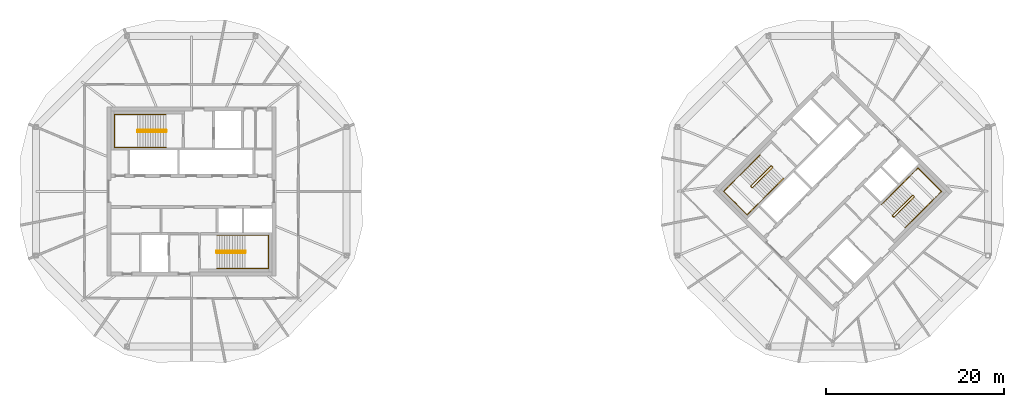
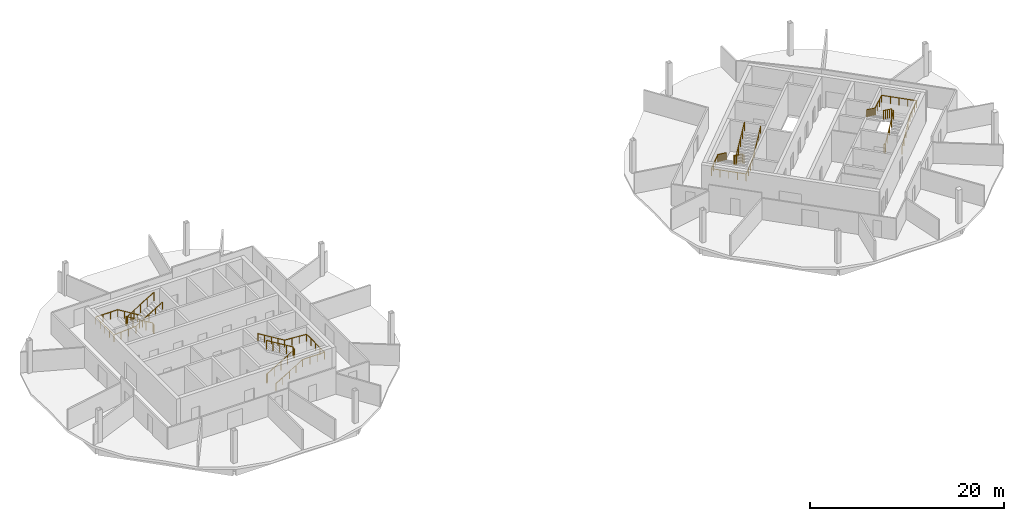
# One storey, part 10 of 10: 8 railings.
"""IFC4 building model written with IfcOpenShell, lengths in metres."""

import ifcopenshell
import ifcopenshell.guid

model = None  # the IFC model being written
_history = None  # IfcOwnerHistory: only IFC2X3 demands one
_inside = {}  # id of a spatial element -> (the spatial element, [elements in it])
_under = {}  # id of a project, library or spatial element -> (it, [spatial elements below it])
_declared = {}  # id of a project -> (the project, [libraries it declares])
_typed = {}  # id of a type object -> (the type object, [elements of that type])
_made_of = {}  # id of a material, layer set ... -> (it, [elements and type objects made of it])


def new_model(schema):
    """Start an empty IFC model of exactly this schema.

    Asked for "IFC4X3", IfcOpenShell would pick the latest addendum, in which some entities
    have other attributes; the version numbers below select the first issue.
    IFC2X3 requires an IfcOwnerHistory on every rooted entity: one is made here for all.
    """
    global model, _history
    if schema == "IFC4X3":
        model = ifcopenshell.file(schema_version=(4, 3, 0, 0))
    else:
        model = ifcopenshell.file(schema=schema)
    _inside.clear()
    _under.clear()
    _declared.clear()
    _typed.clear()
    _made_of.clear()
    _history = None
    if model.schema == "IFC2X3":
        org = make("IfcOrganization", Name="unknown")
        user = make(
            "IfcPersonAndOrganization",
            ThePerson=make("IfcPerson", FamilyName="unknown"),
            TheOrganization=org,
        )
        app = make(
            "IfcApplication",
            ApplicationDeveloper=org,
            Version="unknown",
            ApplicationFullName="unknown",
            ApplicationIdentifier="unknown",
        )
        _history = make(
            "IfcOwnerHistory",
            OwningUser=user,
            OwningApplication=app,
            ChangeAction="ADDED",
            CreationDate=0,
        )
    return model


def make(cls, **values):
    """One entity of the class cls with the attributes given. An attribute that is None is left unset."""
    return model.create_entity(
        cls, **{name: value for name, value in values.items() if value is not None}
    )


def rooted(cls, **values):
    """An entity with a GlobalId (a new one), such as an element, a storey or a relation."""
    return make(cls, GlobalId=ifcopenshell.guid.new(), OwnerHistory=_history, **values)


def si_unit(unit_type, name, prefix=None):
    """IfcSIUnit, for example si_unit("LENGTHUNIT", "METRE", prefix="MILLI")."""
    return make("IfcSIUnit", UnitType=unit_type, Prefix=prefix, Name=name)


def assignment(units):
    """IfcUnitAssignment: the units of a project."""
    return None if units is None else make("IfcUnitAssignment", Units=units)


def point(xyz):
    """IfcCartesianPoint."""
    return None if xyz is None else make("IfcCartesianPoint", Coordinates=xyz)


def direction(xyz):
    """IfcDirection."""
    return None if xyz is None else make("IfcDirection", DirectionRatios=xyz)


def frame(location, z_axis=None, x_axis=None):
    """IfcAxis2Placement3D, a coordinate frame: its origin and axes. An axis left out is left unset."""
    return make(
        "IfcAxis2Placement3D",
        Location=point(location),
        Axis=direction(z_axis),
        RefDirection=direction(x_axis),
    )


def frame_2d(location, x_axis=None):
    """IfcAxis2Placement2D, a coordinate frame in the plane: its origin and x axis."""
    return make(
        "IfcAxis2Placement2D", Location=point(location), RefDirection=direction(x_axis)
    )


def origin():
    """The frame at (0, 0, 0) with its axes left unset."""
    return frame((0.0, 0.0, 0.0))


def origin_2d():
    """The frame at (0, 0) in the plane with its x axis left unset."""
    return frame_2d((0.0, 0.0))


def place(relative_to, where):
    """IfcLocalPlacement: puts the frame where relative to a parent placement (None: the world)."""
    return make(
        "IfcLocalPlacement", PlacementRelTo=relative_to, RelativePlacement=where
    )


def context(
    kind, dimensions, precision=None, world=None, true_north=None, identifier=None
):
    """IfcGeometricRepresentationContext, for example the 3D "Model" context."""
    return make(
        "IfcGeometricRepresentationContext",
        ContextIdentifier=identifier,
        ContextType=kind,
        CoordinateSpaceDimension=dimensions,
        Precision=precision,
        WorldCoordinateSystem=world,
        TrueNorth=true_north,
    )


def subcontext(parent, identifier, kind, view, scale=None):
    """IfcGeometricRepresentationSubContext, for example "Body" below "Model"."""
    return make(
        "IfcGeometricRepresentationSubContext",
        ContextIdentifier=identifier,
        ContextType=kind,
        ParentContext=parent,
        TargetScale=scale,
        TargetView=view,
    )


def project(units=None, contexts=None):
    """IfcProject with its units and contexts."""
    return rooted(
        "IfcProject",
        Name="project",
        RepresentationContexts=contexts,
        UnitsInContext=assignment(units),
    )


def spatial(cls, under=None, at=None, **own):
    """A site, building, storey or space (cls), placed at a placement, below another one or the project."""
    s = rooted(cls, ObjectPlacement=at, **own)
    if under is not None:
        _under.setdefault(under.id(), (under, []))[1].append(s)
    return s


def profile(cls, at=None, kind="AREA", **sizes):
    """A parametric profile (cls). Its sizes go by their IFC names, for example OverallWidth=200.0."""
    return make(cls, ProfileType=kind, Position=at, **sizes)


def circle(**sizes):
    """IfcCircleProfileDef."""
    return profile("IfcCircleProfileDef", **sizes)


def extrude(swept, where, along, depth):
    """IfcExtrudedAreaSolid: the profile swept, set in the frame where, extruded along a direction by depth."""
    return make(
        "IfcExtrudedAreaSolid",
        SweptArea=swept,
        Position=where,
        ExtrudedDirection=direction(along),
        Depth=depth,
    )


def shape(context_of_items, identifier, shape_type, items):
    """IfcShapeRepresentation: the items that make up one representation, for example the "Body"."""
    return make(
        "IfcShapeRepresentation",
        ContextOfItems=context_of_items,
        RepresentationIdentifier=identifier,
        RepresentationType=shape_type,
        Items=items,
    )


def material(Name=None, Category=None):
    """IfcMaterial."""
    return make("IfcMaterial", Name=Name, Category=Category)


def made_of(thing, what):
    """Note that an element or type object is made of a material, layer set ...; save() writes the relation."""
    if what is not None:
        _made_of.setdefault(what.id(), (what, []))[1].append(thing)
    return thing


def type_object(cls, material=None, **own):
    """A type object (cls), such as IfcWallType, which elements share."""
    return made_of(rooted(cls, **own), material)


def element(
    cls,
    number,
    at=None,
    inside=None,
    cuts=None,
    type_object=None,
    material=None,
    context=None,
    identifier="Body",
    shape_type=None,
    held_by="IfcProductDefinitionShape",
    body=None,
    shapes=None,
    **own,
):
    """One element of the class cls, such as IfcWall. Its Tag is "e" and its number.

    at: its placement. inside: the storey or other place that contains it. cuts: it is an
    opening in that element (IfcRelVoidsElement). A single representation is given by context,
    identifier, shape_type and body (its items); several are given by shapes. held_by: the class
    of the entity that holds the representations. save() writes the other relations.
    """
    e = rooted(cls, Tag="e%d" % number, ObjectPlacement=at, **own)
    if body is not None:
        shapes = [shape(context, identifier, shape_type, body)]
    if shapes is not None:
        e.Representation = make(held_by, Representations=shapes)
    if inside is not None:
        _inside.setdefault(inside.id(), (inside, []))[1].append(e)
    if cuts is not None:
        rooted(
            "IfcRelVoidsElement", RelatingBuildingElement=cuts, RelatedOpeningElement=e
        )
    if type_object is not None:
        _typed.setdefault(type_object.id(), (type_object, []))[1].append(e)
    return made_of(e, material)


def aggregate(whole, parts):
    """IfcRelAggregates: a whole, such as a stair, and the parts it consists of."""
    return rooted("IfcRelAggregates", RelatingObject=whole, RelatedObjects=parts)


def save(model, path):
    """Write the relations noted so far, then the file.

    IfcRelAggregates (storeys below a building ...), IfcRelContainedInSpatialStructure (elements
    in a storey), IfcRelDefinesByType, IfcRelAssociatesMaterial and IfcRelDeclares: one each for
    every whole, place, type object, material and project.
    """
    for whole, parts in _under.values():
        aggregate(whole, parts)
    for where, things in _inside.values():
        rooted(
            "IfcRelContainedInSpatialStructure",
            RelatedElements=things,
            RelatingStructure=where,
        )
    for kind, things in _typed.values():
        rooted("IfcRelDefinesByType", RelatedObjects=things, RelatingType=kind)
    for what, things in _made_of.values():
        rooted("IfcRelAssociatesMaterial", RelatedObjects=things, RelatingMaterial=what)
    for by, libraries in _declared.values():
        rooted("IfcRelDeclares", RelatingContext=by, RelatedDefinitions=libraries)
    model.write(path)


model = new_model("IFC4")

# Units and contexts
model_context = context("Model", 3, precision=1e-05, world=origin(), true_north=direction((0.0, 1.0)))
body_context = subcontext(model_context, "Body", "Model", "MODEL_VIEW")
ifc_project = project(units=[si_unit("LENGTHUNIT", "METRE"), si_unit("AREAUNIT", "SQUARE_METRE"), si_unit("VOLUMEUNIT", "CUBIC_METRE"), si_unit("PLANEANGLEUNIT", "RADIAN"), si_unit("MASSUNIT", "GRAM", prefix="KILO")], contexts=[model_context])

# Site, building, storey
site_placement = place(None, origin())
site = spatial("IfcSite", under=ifc_project, at=site_placement, CompositionType="ELEMENT")
building_placement = place(site_placement, origin())
building = spatial("IfcBuilding", under=site, at=building_placement, Name="Ogive Gate Towers", CompositionType="ELEMENT")
storey_placement = place(building_placement, frame((0.0, 0.0, 264.60009765625)))
storey = spatial("IfcBuildingStorey", under=building, at=storey_placement, Name="L62", CompositionType="ELEMENT", Elevation=264.60009765625)

# Railings
ifc_material = material(Name="Stainless steel", Category="steel")
railing_type_1 = type_object("IfcRailingType", Name="Stair guard 1100", PredefinedType="GUARDRAIL", material=ifc_material)
railing_1_placement = place(storey_placement, frame((-38.81494140625, 6.860107421875, 0.0)))
element("IfcRailing", 1, at=railing_1_placement, inside=storey, type_object=railing_type_1, Name="L62 ST1 stair guard 1", PredefinedType="GUARDRAIL", context=body_context, shape_type="SweptSolid", body=[
    extrude(circle(Radius=0.02392578125, at=origin_2d()), frame((0.0, 0.0, 1.076171875), z_axis=(0.0, -1.0, 0.0), x_axis=(1.0, 0.0, 0.0)), (0.0, 0.0, 1.0), 0.14501953125),
    extrude(circle(Radius=0.02392578125, at=origin_2d()), frame((0.0, -0.14501953125, 1.076171875), z_axis=(-0.187806046922, 0.731069392407, 0.655946973638), x_axis=(-0.968551454522, -0.24881334358, 0.0)), (0.0, 0.0, 1.0), 0.2666015625),
    extrude(circle(Radius=0.02392578125, at=origin_2d()), frame((-0.050048828125, 0.0498046875, 1.2509765625), z_axis=(-0.854199828955, 0.0, 0.519944854973), x_axis=(0.0, -1.0, 0.0)), (0.0, 0.0, 1.0), 3.702392578125),
    extrude(circle(Radius=0.02392578125, at=origin_2d()), frame((-3.212646484375, 0.0498046875, 3.17578125), z_axis=(-0.707106781187, -0.707106781187, 0.0), x_axis=(0.707106781187, -0.707106781187, 0.0)), (0.0, 0.0, 1.0), 0.0703125),
    extrude(circle(Radius=0.02392578125, at=origin_2d()), frame((-3.262451171875, 0.0, 3.17578125), z_axis=(0.0, -1.0, 0.0), x_axis=(1.0, 0.0, 0.0)), (0.0, 0.0, 1.0), 0.14501953125),
    extrude(circle(Radius=0.02392578125, at=origin_2d()), frame((-3.262451171875, -0.14501953125, 3.17578125), z_axis=(0.263862480399, -0.265155923931, 0.927399011991), x_axis=(0.708833529934, 0.705375805398, 0.0)), (0.0, 0.0, 1.0), 0.188720703125),
    extrude(circle(Radius=0.02392578125, at=origin_2d()), frame((-3.212646484375, -0.195068359375, 3.35107421875), z_axis=(0.854199828955, 0.0, 0.519944854973), x_axis=(0.0, 1.0, 0.0)), (0.0, 0.0, 1.0), 3.702392578125),
    extrude(circle(Radius=0.02099609375, at=origin_2d()), origin(), (0.0, 0.0, 1.0), 1.052001953125),
    extrude(circle(Radius=0.02099609375, at=origin_2d()), frame((0.0, -0.14501953125, 0.0)), (0.0, 0.0, 1.0), 1.052001953125),
    extrude(circle(Radius=0.02099609375, at=origin_2d()), frame((-0.050048828125, 0.0498046875, 0.1748046875)), (0.0, 0.0, 1.0), 1.052001953125),
    extrude(circle(Radius=0.02099609375, at=origin_2d()), frame((-0.8408203125, 0.0498046875, 0.656005859375)), (0.0, 0.0, 1.0), 1.052001953125),
    extrude(circle(Radius=0.02099609375, at=origin_2d()), frame((-1.63134765625, 0.0498046875, 1.13720703125)), (0.0, 0.0, 1.0), 1.052001953125),
    extrude(circle(Radius=0.02099609375, at=origin_2d()), frame((-2.421875, 0.0498046875, 1.61865234375)), (0.0, 0.0, 1.0), 1.052001953125),
    extrude(circle(Radius=0.02099609375, at=origin_2d()), frame((-3.212646484375, 0.0498046875, 2.099853515625)), (0.0, 0.0, 1.0), 1.052001953125),
    extrude(circle(Radius=0.02099609375, at=origin_2d()), frame((-3.262451171875, 0.0, 2.099853515625)), (0.0, 0.0, 1.0), 1.052001953125),
    extrude(circle(Radius=0.02099609375, at=origin_2d()), frame((-3.262451171875, -0.14501953125, 2.099853515625)), (0.0, 0.0, 1.0), 1.052001953125),
    extrude(circle(Radius=0.02099609375, at=origin_2d()), frame((-3.212646484375, -0.195068359375, 2.27490234375)), (0.0, 0.0, 1.0), 1.052001953125),
    extrude(circle(Radius=0.02099609375, at=origin_2d()), frame((-2.421875, -0.195068359375, 2.756103515625)), (0.0, 0.0, 1.0), 1.052001953125),
    extrude(circle(Radius=0.02099609375, at=origin_2d()), frame((-1.63134765625, -0.195068359375, 3.2373046875)), (0.0, 0.0, 1.0), 1.052001953125),
    extrude(circle(Radius=0.02099609375, at=origin_2d()), frame((-0.8408203125, -0.195068359375, 3.71875)), (0.0, 0.0, 1.0), 1.052001953125),
    extrude(circle(Radius=0.02099609375, at=origin_2d()), frame((-0.050048828125, -0.195068359375, 4.199951171875)), (0.0, 0.0, 1.0), 1.052001953125),
])
railing_2_placement = place(storey_placement, frame((-33.18505859375, -6.860107421875, 0.0)))
element("IfcRailing", 2, at=railing_2_placement, inside=storey, type_object=railing_type_1, Name="L62 ST2 stair guard 1", PredefinedType="GUARDRAIL", context=body_context, shape_type="SweptSolid", body=[
    extrude(circle(Radius=0.02392578125, at=origin_2d()), frame((0.0, 0.0, 1.076171875), z_axis=(0.0, 1.0, 0.0), x_axis=(-1.0, 0.0, 0.0)), (0.0, 0.0, 1.0), 0.14501953125),
    extrude(circle(Radius=0.02392578125, at=origin_2d()), frame((0.0, 0.14501953125, 1.076171875), z_axis=(0.187806046922, -0.731069392407, 0.655946973638), x_axis=(0.968551454522, 0.24881334358, 0.0)), (0.0, 0.0, 1.0), 0.2666015625),
    extrude(circle(Radius=0.02392578125, at=origin_2d()), frame((0.050048828125, -0.0498046875, 1.2509765625), z_axis=(0.854199828955, 0.0, 0.519944854973), x_axis=(0.0, 1.0, 0.0)), (0.0, 0.0, 1.0), 3.702392578125),
    extrude(circle(Radius=0.02392578125, at=origin_2d()), frame((3.212646484375, -0.0498046875, 3.17578125), z_axis=(0.707106781187, 0.707106781187, 0.0), x_axis=(-0.707106781187, 0.707106781187, 0.0)), (0.0, 0.0, 1.0), 0.0703125),
    extrude(circle(Radius=0.02392578125, at=origin_2d()), frame((3.262451171875, 0.0, 3.17578125), z_axis=(0.0, 1.0, 0.0), x_axis=(-1.0, 0.0, 0.0)), (0.0, 0.0, 1.0), 0.14501953125),
    extrude(circle(Radius=0.02392578125, at=origin_2d()), frame((3.262451171875, 0.14501953125, 3.17578125), z_axis=(-0.263862480399, 0.265155923931, 0.927399011991), x_axis=(-0.708833529934, -0.705375805398, 0.0)), (0.0, 0.0, 1.0), 0.188720703125),
    extrude(circle(Radius=0.02392578125, at=origin_2d()), frame((3.212646484375, 0.195068359375, 3.35107421875), z_axis=(-0.854199828955, 0.0, 0.519944854973), x_axis=(0.0, -1.0, 0.0)), (0.0, 0.0, 1.0), 3.702392578125),
    extrude(circle(Radius=0.02099609375, at=origin_2d()), origin(), (0.0, 0.0, 1.0), 1.052001953125),
    extrude(circle(Radius=0.02099609375, at=origin_2d()), frame((0.0, 0.14501953125, 0.0)), (0.0, 0.0, 1.0), 1.052001953125),
    extrude(circle(Radius=0.02099609375, at=origin_2d()), frame((0.050048828125, -0.0498046875, 0.1748046875)), (0.0, 0.0, 1.0), 1.052001953125),
    extrude(circle(Radius=0.02099609375, at=origin_2d()), frame((0.8408203125, -0.0498046875, 0.656005859375)), (0.0, 0.0, 1.0), 1.052001953125),
    extrude(circle(Radius=0.02099609375, at=origin_2d()), frame((1.63134765625, -0.0498046875, 1.13720703125)), (0.0, 0.0, 1.0), 1.052001953125),
    extrude(circle(Radius=0.02099609375, at=origin_2d()), frame((2.421875, -0.0498046875, 1.61865234375)), (0.0, 0.0, 1.0), 1.052001953125),
    extrude(circle(Radius=0.02099609375, at=origin_2d()), frame((3.212646484375, -0.0498046875, 2.099853515625)), (0.0, 0.0, 1.0), 1.052001953125),
    extrude(circle(Radius=0.02099609375, at=origin_2d()), frame((3.262451171875, 0.0, 2.099853515625)), (0.0, 0.0, 1.0), 1.052001953125),
    extrude(circle(Radius=0.02099609375, at=origin_2d()), frame((3.262451171875, 0.14501953125, 2.099853515625)), (0.0, 0.0, 1.0), 1.052001953125),
    extrude(circle(Radius=0.02099609375, at=origin_2d()), frame((3.212646484375, 0.195068359375, 2.27490234375)), (0.0, 0.0, 1.0), 1.052001953125),
    extrude(circle(Radius=0.02099609375, at=origin_2d()), frame((2.421875, 0.195068359375, 2.756103515625)), (0.0, 0.0, 1.0), 1.052001953125),
    extrude(circle(Radius=0.02099609375, at=origin_2d()), frame((1.63134765625, 0.195068359375, 3.2373046875)), (0.0, 0.0, 1.0), 1.052001953125),
    extrude(circle(Radius=0.02099609375, at=origin_2d()), frame((0.8408203125, 0.195068359375, 3.71875)), (0.0, 0.0, 1.0), 1.052001953125),
    extrude(circle(Radius=0.02099609375, at=origin_2d()), frame((0.050048828125, 0.195068359375, 4.199951171875)), (0.0, 0.0, 1.0), 1.052001953125),
])
railing_3_placement = place(storey_placement, frame((29.15869140625, 2.8603515625, 0.0)))
element("IfcRailing", 3, at=railing_3_placement, inside=storey, type_object=railing_type_1, Name="L62 ST1 stair guard 1", PredefinedType="GUARDRAIL", context=body_context, shape_type="SweptSolid", body=[
    extrude(circle(Radius=0.02392578125, at=origin_2d()), frame((0.0, 0.0, 1.076171875), z_axis=(0.707106781187, -0.707106781187, 0.0), x_axis=(0.707106781187, 0.707106781187, 0.0)), (0.0, 0.0, 1.0), 0.14501953125),
    extrude(circle(Radius=0.02392578125, at=origin_2d()), frame((0.1025390625, -0.1025390625, 1.076171875), z_axis=(-0.649465406644, 0.384732680946, 0.655877617993), x_axis=(-0.509669330572, -0.860370369942, 0.0)), (0.0, 0.0, 1.0), 0.2666015625),
    extrude(circle(Radius=0.02392578125, at=origin_2d()), frame((-0.070556640625, 0.0, 1.2509765625), z_axis=(-0.604012965068, -0.604012965068, 0.519939108031), x_axis=(0.707106781187, -0.707106781187, 0.0)), (0.0, 0.0, 1.0), 3.702392578125),
    extrude(circle(Radius=0.02392578125, at=origin_2d()), frame((-2.306884765625, -2.236328125, 3.17578125), z_axis=(0.0, -1.0, 0.0), x_axis=(1.0, 0.0, 0.0)), (0.0, 0.0, 1.0), 0.07080078125),
    extrude(circle(Radius=0.02392578125, at=origin_2d()), frame((-2.306884765625, -2.30712890625, 3.17578125), z_axis=(0.707106781187, -0.707106781187, 0.0), x_axis=(0.707106781187, 0.707106781187, 0.0)), (0.0, 0.0, 1.0), 0.14501953125),
    extrude(circle(Radius=0.02392578125, at=origin_2d()), frame((-2.204345703125, -2.40966796875, 3.17578125), z_axis=(0.374954686889, 0.0, 0.927043139654), x_axis=(0.0, 1.0, 0.0)), (0.0, 0.0, 1.0), 0.188720703125),
    extrude(circle(Radius=0.02392578125, at=origin_2d()), frame((-2.133544921875, -2.40966796875, 3.35107421875), z_axis=(0.603971079388, 0.604037022294, 0.51995981668), x_axis=(-0.707145379772, 0.707068180494, 0.0)), (0.0, 0.0, 1.0), 3.702392578125),
    extrude(circle(Radius=0.02099609375, at=origin_2d()), origin(), (0.0, 0.0, 1.0), 1.052001953125),
    extrude(circle(Radius=0.02099609375, at=origin_2d()), frame((0.1025390625, -0.1025390625, 0.0)), (0.0, 0.0, 1.0), 1.052001953125),
    extrude(circle(Radius=0.02099609375, at=origin_2d()), frame((-0.070556640625, 0.0, 0.1748046875)), (0.0, 0.0, 1.0), 1.052001953125),
    extrude(circle(Radius=0.02099609375, at=origin_2d()), frame((-0.629638671875, -0.55908203125, 0.656005859375)), (0.0, 0.0, 1.0), 1.052001953125),
    extrude(circle(Radius=0.02099609375, at=origin_2d()), frame((-1.188720703125, -1.1181640625, 1.13720703125)), (0.0, 0.0, 1.0), 1.052001953125),
    extrude(circle(Radius=0.02099609375, at=origin_2d()), frame((-1.747802734375, -1.67724609375, 1.61865234375)), (0.0, 0.0, 1.0), 1.052001953125),
    extrude(circle(Radius=0.02099609375, at=origin_2d()), frame((-2.306884765625, -2.236328125, 2.099853515625)), (0.0, 0.0, 1.0), 1.052001953125),
    extrude(circle(Radius=0.02099609375, at=origin_2d()), frame((-2.306884765625, -2.30712890625, 2.099853515625)), (0.0, 0.0, 1.0), 1.052001953125),
    extrude(circle(Radius=0.02099609375, at=origin_2d()), frame((-2.204345703125, -2.40966796875, 2.099853515625)), (0.0, 0.0, 1.0), 1.052001953125),
    extrude(circle(Radius=0.02099609375, at=origin_2d()), frame((-2.133544921875, -2.40966796875, 2.27490234375)), (0.0, 0.0, 1.0), 1.052001953125),
    extrude(circle(Radius=0.02099609375, at=origin_2d()), frame((-1.574462890625, -1.8505859375, 2.756103515625)), (0.0, 0.0, 1.0), 1.052001953125),
    extrude(circle(Radius=0.02099609375, at=origin_2d()), frame((-1.015625, -1.29150390625, 3.2373046875)), (0.0, 0.0, 1.0), 1.052001953125),
    extrude(circle(Radius=0.02099609375, at=origin_2d()), frame((-0.45654296875, -0.732421875, 3.71875)), (0.0, 0.0, 1.0), 1.052001953125),
    extrude(circle(Radius=0.02099609375, at=origin_2d()), frame((0.1025390625, -0.17333984375, 4.199951171875)), (0.0, 0.0, 1.0), 1.052001953125),
])
railing_4_placement = place(storey_placement, frame((42.84130859375, -2.8603515625, 0.0)))
element("IfcRailing", 4, at=railing_4_placement, inside=storey, type_object=railing_type_1, Name="L62 ST2 stair guard 1", PredefinedType="GUARDRAIL", context=body_context, shape_type="SweptSolid", body=[
    extrude(circle(Radius=0.02392578125, at=origin_2d()), frame((0.0, 0.0, 1.076171875), z_axis=(-0.707106781187, 0.707106781187, 0.0), x_axis=(-0.707106781187, -0.707106781187, 0.0)), (0.0, 0.0, 1.0), 0.14501953125),
    extrude(circle(Radius=0.02392578125, at=origin_2d()), frame((-0.1025390625, 0.1025390625, 1.076171875), z_axis=(0.649465406644, -0.384732680946, 0.655877617993), x_axis=(0.509669330572, 0.860370369942, 0.0)), (0.0, 0.0, 1.0), 0.2666015625),
    extrude(circle(Radius=0.02392578125, at=origin_2d()), frame((0.070556640625, 0.0, 1.2509765625), z_axis=(0.604012965068, 0.604012965068, 0.519939108031), x_axis=(-0.707106781187, 0.707106781187, 0.0)), (0.0, 0.0, 1.0), 3.702392578125),
    extrude(circle(Radius=0.02392578125, at=origin_2d()), frame((2.306884765625, 2.236328125, 3.17578125), z_axis=(0.0, 1.0, 0.0), x_axis=(-1.0, 0.0, 0.0)), (0.0, 0.0, 1.0), 0.07080078125),
    extrude(circle(Radius=0.02392578125, at=origin_2d()), frame((2.306884765625, 2.30712890625, 3.17578125), z_axis=(-0.707106781187, 0.707106781187, 0.0), x_axis=(-0.707106781187, -0.707106781187, 0.0)), (0.0, 0.0, 1.0), 0.14501953125),
    extrude(circle(Radius=0.02392578125, at=origin_2d()), frame((2.204345703125, 2.40966796875, 3.17578125), z_axis=(-0.374954686889, 0.0, 0.927043139654), x_axis=(0.0, -1.0, 0.0)), (0.0, 0.0, 1.0), 0.188720703125),
    extrude(circle(Radius=0.02392578125, at=origin_2d()), frame((2.133544921875, 2.40966796875, 3.35107421875), z_axis=(-0.603971079388, -0.604037022294, 0.51995981668), x_axis=(0.707145379772, -0.707068180494, 0.0)), (0.0, 0.0, 1.0), 3.702392578125),
    extrude(circle(Radius=0.02099609375, at=origin_2d()), origin(), (0.0, 0.0, 1.0), 1.052001953125),
    extrude(circle(Radius=0.02099609375, at=origin_2d()), frame((-0.1025390625, 0.1025390625, 0.0)), (0.0, 0.0, 1.0), 1.052001953125),
    extrude(circle(Radius=0.02099609375, at=origin_2d()), frame((0.070556640625, 0.0, 0.1748046875)), (0.0, 0.0, 1.0), 1.052001953125),
    extrude(circle(Radius=0.02099609375, at=origin_2d()), frame((0.629638671875, 0.55908203125, 0.656005859375)), (0.0, 0.0, 1.0), 1.052001953125),
    extrude(circle(Radius=0.02099609375, at=origin_2d()), frame((1.188720703125, 1.1181640625, 1.13720703125)), (0.0, 0.0, 1.0), 1.052001953125),
    extrude(circle(Radius=0.02099609375, at=origin_2d()), frame((1.747802734375, 1.67724609375, 1.61865234375)), (0.0, 0.0, 1.0), 1.052001953125),
    extrude(circle(Radius=0.02099609375, at=origin_2d()), frame((2.306884765625, 2.236328125, 2.099853515625)), (0.0, 0.0, 1.0), 1.052001953125),
    extrude(circle(Radius=0.02099609375, at=origin_2d()), frame((2.306884765625, 2.30712890625, 2.099853515625)), (0.0, 0.0, 1.0), 1.052001953125),
    extrude(circle(Radius=0.02099609375, at=origin_2d()), frame((2.204345703125, 2.40966796875, 2.099853515625)), (0.0, 0.0, 1.0), 1.052001953125),
    extrude(circle(Radius=0.02099609375, at=origin_2d()), frame((2.133544921875, 2.40966796875, 2.27490234375)), (0.0, 0.0, 1.0), 1.052001953125),
    extrude(circle(Radius=0.02099609375, at=origin_2d()), frame((1.574462890625, 1.8505859375, 2.756103515625)), (0.0, 0.0, 1.0), 1.052001953125),
    extrude(circle(Radius=0.02099609375, at=origin_2d()), frame((1.015625, 1.29150390625, 3.2373046875)), (0.0, 0.0, 1.0), 1.052001953125),
    extrude(circle(Radius=0.02099609375, at=origin_2d()), frame((0.45654296875, 0.732421875, 3.71875)), (0.0, 0.0, 1.0), 1.052001953125),
    extrude(circle(Radius=0.02099609375, at=origin_2d()), frame((-0.1025390625, 0.17333984375, 4.199951171875)), (0.0, 0.0, 1.0), 1.052001953125),
])
railing_type_2 = type_object("IfcRailingType", Name="Stair handrail 900", PredefinedType="HANDRAIL", material=ifc_material)
railing_5_placement = place(storey_placement, frame((-38.864990234375, 8.64990234375, 0.1748046875)))
element("IfcRailing", 5, at=railing_5_placement, inside=storey, type_object=railing_type_2, Name="L62 ST1 stair handrail 1", PredefinedType="HANDRAIL", context=body_context, shape_type="SweptSolid", body=[
    extrude(circle(Radius=0.02392578125, at=origin_2d()), frame((0.0, 0.0, 0.8759765625), z_axis=(-0.854199828955, 0.0, 0.519944854973), x_axis=(0.0, -1.0, 0.0)), (0.0, 0.0, 1.0), 3.702392578125),
    extrude(circle(Radius=0.02392578125, at=origin_2d()), frame((-3.16259765625, 0.0, 2.80078125), z_axis=(-1.0, 0.0, 0.0), x_axis=(0.0, -1.0, 0.0)), (0.0, 0.0, 1.0), 2.622314453125),
    extrude(circle(Radius=0.02392578125, at=origin_2d()), frame((-5.784912109375, 0.0, 2.80078125), z_axis=(0.0, -1.0, 0.0), x_axis=(1.0, 0.0, 0.0)), (0.0, 0.0, 1.0), 3.724853515625),
    extrude(circle(Radius=0.02392578125, at=origin_2d()), frame((-5.784912109375, -3.724853515625, 2.80078125), z_axis=(0.997779399599, 0.0, 0.066605328136), x_axis=(0.0, 1.0, 0.0)), (0.0, 0.0, 1.0), 2.628173828125),
    extrude(circle(Radius=0.02392578125, at=origin_2d()), frame((-3.16259765625, -3.724853515625, 2.97607421875), z_axis=(0.854199828955, 0.0, 0.519944854973), x_axis=(0.0, 1.0, 0.0)), (0.0, 0.0, 1.0), 3.702392578125),
    extrude(circle(Radius=0.02099609375, at=origin_2d()), origin(), (0.0, 0.0, 1.0), 0.851806640625),
    extrude(circle(Radius=0.02099609375, at=origin_2d()), frame((-0.79052734375, 0.0, 0.481201171875)), (0.0, 0.0, 1.0), 0.851806640625),
    extrude(circle(Radius=0.02099609375, at=origin_2d()), frame((-1.581298828125, 0.0, 0.96240234375)), (0.0, 0.0, 1.0), 0.851806640625),
    extrude(circle(Radius=0.02099609375, at=origin_2d()), frame((-2.3720703125, 0.0, 1.44384765625)), (0.0, 0.0, 1.0), 0.851806640625),
    extrude(circle(Radius=0.02099609375, at=origin_2d()), frame((-3.16259765625, 0.0, 1.925048828125)), (0.0, 0.0, 1.0), 0.851806640625),
    extrude(circle(Radius=0.02099609375, at=origin_2d()), frame((-4.03662109375, 0.0, 1.925048828125)), (0.0, 0.0, 1.0), 0.851806640625),
    extrude(circle(Radius=0.02099609375, at=origin_2d()), frame((-4.910888671875, 0.0, 1.925048828125)), (0.0, 0.0, 1.0), 0.851806640625),
    extrude(circle(Radius=0.02099609375, at=origin_2d()), frame((-5.784912109375, 0.0, 1.925048828125)), (0.0, 0.0, 1.0), 0.851806640625),
    extrude(circle(Radius=0.02099609375, at=origin_2d()), frame((-5.784912109375, -0.93115234375, 1.925048828125)), (0.0, 0.0, 1.0), 0.851806640625),
    extrude(circle(Radius=0.02099609375, at=origin_2d()), frame((-5.784912109375, -1.8623046875, 1.925048828125)), (0.0, 0.0, 1.0), 0.851806640625),
    extrude(circle(Radius=0.02099609375, at=origin_2d()), frame((-5.784912109375, -2.793701171875, 1.925048828125)), (0.0, 0.0, 1.0), 0.851806640625),
    extrude(circle(Radius=0.02099609375, at=origin_2d()), frame((-5.784912109375, -3.724853515625, 1.925048828125)), (0.0, 0.0, 1.0), 0.851806640625),
    extrude(circle(Radius=0.02099609375, at=origin_2d()), frame((-4.910888671875, -3.724853515625, 1.9833984375)), (0.0, 0.0, 1.0), 0.851806640625),
    extrude(circle(Radius=0.02099609375, at=origin_2d()), frame((-4.03662109375, -3.724853515625, 2.041748046875)), (0.0, 0.0, 1.0), 0.851806640625),
    extrude(circle(Radius=0.02099609375, at=origin_2d()), frame((-3.16259765625, -3.724853515625, 2.10009765625)), (0.0, 0.0, 1.0), 0.851806640625),
    extrude(circle(Radius=0.02099609375, at=origin_2d()), frame((-2.3720703125, -3.724853515625, 2.581298828125)), (0.0, 0.0, 1.0), 0.851806640625),
    extrude(circle(Radius=0.02099609375, at=origin_2d()), frame((-1.581298828125, -3.724853515625, 3.0625)), (0.0, 0.0, 1.0), 0.851806640625),
    extrude(circle(Radius=0.02099609375, at=origin_2d()), frame((-0.79052734375, -3.724853515625, 3.5439453125)), (0.0, 0.0, 1.0), 0.851806640625),
    extrude(circle(Radius=0.02099609375, at=origin_2d()), frame((0.0, -3.724853515625, 4.025146484375)), (0.0, 0.0, 1.0), 0.851806640625),
])
railing_6_placement = place(storey_placement, frame((-33.135009765625, -8.64990234375, 0.1748046875)))
element("IfcRailing", 6, at=railing_6_placement, inside=storey, type_object=railing_type_2, Name="L62 ST2 stair handrail 1", PredefinedType="HANDRAIL", context=body_context, shape_type="SweptSolid", body=[
    extrude(circle(Radius=0.02392578125, at=origin_2d()), frame((0.0, 0.0, 0.8759765625), z_axis=(0.854199828955, 0.0, 0.519944854973), x_axis=(0.0, 1.0, 0.0)), (0.0, 0.0, 1.0), 3.702392578125),
    extrude(circle(Radius=0.02392578125, at=origin_2d()), frame((3.16259765625, 0.0, 2.80078125), z_axis=(1.0, 0.0, 0.0), x_axis=(0.0, 1.0, 0.0)), (0.0, 0.0, 1.0), 2.622314453125),
    extrude(circle(Radius=0.02392578125, at=origin_2d()), frame((5.784912109375, 0.0, 2.80078125), z_axis=(0.0, 1.0, 0.0), x_axis=(-1.0, 0.0, 0.0)), (0.0, 0.0, 1.0), 3.724853515625),
    extrude(circle(Radius=0.02392578125, at=origin_2d()), frame((5.784912109375, 3.724853515625, 2.80078125), z_axis=(-0.997779399599, 0.0, 0.066605328136), x_axis=(0.0, -1.0, 0.0)), (0.0, 0.0, 1.0), 2.628173828125),
    extrude(circle(Radius=0.02392578125, at=origin_2d()), frame((3.16259765625, 3.724853515625, 2.97607421875), z_axis=(-0.854199828955, 0.0, 0.519944854973), x_axis=(0.0, -1.0, 0.0)), (0.0, 0.0, 1.0), 3.702392578125),
    extrude(circle(Radius=0.02099609375, at=origin_2d()), origin(), (0.0, 0.0, 1.0), 0.851806640625),
    extrude(circle(Radius=0.02099609375, at=origin_2d()), frame((0.79052734375, 0.0, 0.481201171875)), (0.0, 0.0, 1.0), 0.851806640625),
    extrude(circle(Radius=0.02099609375, at=origin_2d()), frame((1.581298828125, 0.0, 0.96240234375)), (0.0, 0.0, 1.0), 0.851806640625),
    extrude(circle(Radius=0.02099609375, at=origin_2d()), frame((2.3720703125, 0.0, 1.44384765625)), (0.0, 0.0, 1.0), 0.851806640625),
    extrude(circle(Radius=0.02099609375, at=origin_2d()), frame((3.16259765625, 0.0, 1.925048828125)), (0.0, 0.0, 1.0), 0.851806640625),
    extrude(circle(Radius=0.02099609375, at=origin_2d()), frame((4.03662109375, 0.0, 1.925048828125)), (0.0, 0.0, 1.0), 0.851806640625),
    extrude(circle(Radius=0.02099609375, at=origin_2d()), frame((4.910888671875, 0.0, 1.925048828125)), (0.0, 0.0, 1.0), 0.851806640625),
    extrude(circle(Radius=0.02099609375, at=origin_2d()), frame((5.784912109375, 0.0, 1.925048828125)), (0.0, 0.0, 1.0), 0.851806640625),
    extrude(circle(Radius=0.02099609375, at=origin_2d()), frame((5.784912109375, 0.93115234375, 1.925048828125)), (0.0, 0.0, 1.0), 0.851806640625),
    extrude(circle(Radius=0.02099609375, at=origin_2d()), frame((5.784912109375, 1.8623046875, 1.925048828125)), (0.0, 0.0, 1.0), 0.851806640625),
    extrude(circle(Radius=0.02099609375, at=origin_2d()), frame((5.784912109375, 2.793701171875, 1.925048828125)), (0.0, 0.0, 1.0), 0.851806640625),
    extrude(circle(Radius=0.02099609375, at=origin_2d()), frame((5.784912109375, 3.724853515625, 1.925048828125)), (0.0, 0.0, 1.0), 0.851806640625),
    extrude(circle(Radius=0.02099609375, at=origin_2d()), frame((4.910888671875, 3.724853515625, 1.9833984375)), (0.0, 0.0, 1.0), 0.851806640625),
    extrude(circle(Radius=0.02099609375, at=origin_2d()), frame((4.03662109375, 3.724853515625, 2.041748046875)), (0.0, 0.0, 1.0), 0.851806640625),
    extrude(circle(Radius=0.02099609375, at=origin_2d()), frame((3.16259765625, 3.724853515625, 2.10009765625)), (0.0, 0.0, 1.0), 0.851806640625),
    extrude(circle(Radius=0.02099609375, at=origin_2d()), frame((2.3720703125, 3.724853515625, 2.581298828125)), (0.0, 0.0, 1.0), 0.851806640625),
    extrude(circle(Radius=0.02099609375, at=origin_2d()), frame((1.581298828125, 3.724853515625, 3.0625)), (0.0, 0.0, 1.0), 0.851806640625),
    extrude(circle(Radius=0.02099609375, at=origin_2d()), frame((0.79052734375, 3.724853515625, 3.5439453125)), (0.0, 0.0, 1.0), 0.851806640625),
    extrude(circle(Radius=0.02099609375, at=origin_2d()), frame((0.0, 3.724853515625, 4.025146484375)), (0.0, 0.0, 1.0), 0.851806640625),
])
railing_7_placement = place(storey_placement, frame((27.857666015625, 4.090576171875, 0.1748046875)))
element("IfcRailing", 7, at=railing_7_placement, inside=storey, type_object=railing_type_2, Name="L62 ST1 stair handrail 1", PredefinedType="HANDRAIL", context=body_context, shape_type="SweptSolid", body=[
    extrude(circle(Radius=0.02392578125, at=origin_2d()), frame((0.0, 0.0, 0.8759765625), z_axis=(-0.604037022294, -0.603971079388, 0.51995981668), x_axis=(0.707068180494, -0.707145379772, 0.0)), (0.0, 0.0, 1.0), 3.702392578125),
    extrude(circle(Radius=0.02392578125, at=origin_2d()), frame((-2.236328125, -2.236083984375, 2.80078125), z_axis=(-0.70706023191, -0.707153327399, 0.0), x_axis=(0.707153327399, -0.70706023191, 0.0)), (0.0, 0.0, 1.0), 2.62255859375),
    extrude(circle(Radius=0.02392578125, at=origin_2d()), frame((-4.090576171875, -4.090576171875, 2.80078125), z_axis=(0.707106781187, -0.707106781187, 0.0), x_axis=(0.707106781187, 0.707106781187, 0.0)), (0.0, 0.0, 1.0), 3.72509765625),
    extrude(circle(Radius=0.02392578125, at=origin_2d()), frame((-1.45654296875, -6.724609375, 2.80078125), z_axis=(0.705490325719, 0.705583214505, 0.066601259189), x_axis=(-0.707153327399, 0.70706023191, 0.0)), (0.0, 0.0, 1.0), 2.62841796875),
    extrude(circle(Radius=0.02392578125, at=origin_2d()), frame((0.397705078125, -4.8701171875, 2.97607421875), z_axis=(0.604037022294, 0.603971079388, 0.51995981668), x_axis=(-0.707068180494, 0.707145379772, 0.0)), (0.0, 0.0, 1.0), 3.702392578125),
    extrude(circle(Radius=0.02099609375, at=origin_2d()), origin(), (0.0, 0.0, 1.0), 0.851806640625),
    extrude(circle(Radius=0.02099609375, at=origin_2d()), frame((-0.55908203125, -0.55908203125, 0.481201171875)), (0.0, 0.0, 1.0), 0.851806640625),
    extrude(circle(Radius=0.02099609375, at=origin_2d()), frame((-1.1181640625, -1.1181640625, 0.96240234375)), (0.0, 0.0, 1.0), 0.851806640625),
    extrude(circle(Radius=0.02099609375, at=origin_2d()), frame((-1.67724609375, -1.677001953125, 1.44384765625)), (0.0, 0.0, 1.0), 0.851806640625),
    extrude(circle(Radius=0.02099609375, at=origin_2d()), frame((-2.236328125, -2.236083984375, 1.925048828125)), (0.0, 0.0, 1.0), 0.851806640625),
    extrude(circle(Radius=0.02099609375, at=origin_2d()), frame((-2.8544921875, -2.854248046875, 1.925048828125)), (0.0, 0.0, 1.0), 0.851806640625),
    extrude(circle(Radius=0.02099609375, at=origin_2d()), frame((-3.472412109375, -3.472412109375, 1.925048828125)), (0.0, 0.0, 1.0), 0.851806640625),
    extrude(circle(Radius=0.02099609375, at=origin_2d()), frame((-4.090576171875, -4.090576171875, 1.925048828125)), (0.0, 0.0, 1.0), 0.851806640625),
    extrude(circle(Radius=0.02099609375, at=origin_2d()), frame((-3.43212890625, -4.7490234375, 1.925048828125)), (0.0, 0.0, 1.0), 0.851806640625),
    extrude(circle(Radius=0.02099609375, at=origin_2d()), frame((-2.7734375, -5.40771484375, 1.925048828125)), (0.0, 0.0, 1.0), 0.851806640625),
    extrude(circle(Radius=0.02099609375, at=origin_2d()), frame((-2.114990234375, -6.066162109375, 1.925048828125)), (0.0, 0.0, 1.0), 0.851806640625),
    extrude(circle(Radius=0.02099609375, at=origin_2d()), frame((-1.45654296875, -6.724609375, 1.925048828125)), (0.0, 0.0, 1.0), 0.851806640625),
    extrude(circle(Radius=0.02099609375, at=origin_2d()), frame((-0.83837890625, -6.1064453125, 1.9833984375)), (0.0, 0.0, 1.0), 0.851806640625),
    extrude(circle(Radius=0.02099609375, at=origin_2d()), frame((-0.220458984375, -5.48828125, 2.041748046875)), (0.0, 0.0, 1.0), 0.851806640625),
    extrude(circle(Radius=0.02099609375, at=origin_2d()), frame((0.397705078125, -4.8701171875, 2.10009765625)), (0.0, 0.0, 1.0), 0.851806640625),
    extrude(circle(Radius=0.02099609375, at=origin_2d()), frame((0.956787109375, -4.31103515625, 2.581298828125)), (0.0, 0.0, 1.0), 0.851806640625),
    extrude(circle(Radius=0.02099609375, at=origin_2d()), frame((1.515869140625, -3.751953125, 3.0625)), (0.0, 0.0, 1.0), 0.851806640625),
    extrude(circle(Radius=0.02099609375, at=origin_2d()), frame((2.074951171875, -3.193115234375, 3.5439453125)), (0.0, 0.0, 1.0), 0.851806640625),
    extrude(circle(Radius=0.02099609375, at=origin_2d()), frame((2.634033203125, -2.634033203125, 4.025146484375)), (0.0, 0.0, 1.0), 0.851806640625),
])
railing_8_placement = place(storey_placement, frame((44.142333984375, -4.090576171875, 0.1748046875)))
element("IfcRailing", 8, at=railing_8_placement, inside=storey, type_object=railing_type_2, Name="L62 ST2 stair handrail 1", PredefinedType="HANDRAIL", context=body_context, shape_type="SweptSolid", body=[
    extrude(circle(Radius=0.02392578125, at=origin_2d()), frame((0.0, 0.0, 0.8759765625), z_axis=(0.604037022294, 0.603971079388, 0.51995981668), x_axis=(-0.707068180494, 0.707145379772, 0.0)), (0.0, 0.0, 1.0), 3.702392578125),
    extrude(circle(Radius=0.02392578125, at=origin_2d()), frame((2.236328125, 2.236083984375, 2.80078125), z_axis=(0.70706023191, 0.707153327399, 0.0), x_axis=(-0.707153327399, 0.70706023191, 0.0)), (0.0, 0.0, 1.0), 2.62255859375),
    extrude(circle(Radius=0.02392578125, at=origin_2d()), frame((4.090576171875, 4.090576171875, 2.80078125), z_axis=(-0.707106781187, 0.707106781187, 0.0), x_axis=(-0.707106781187, -0.707106781187, 0.0)), (0.0, 0.0, 1.0), 3.72509765625),
    extrude(circle(Radius=0.02392578125, at=origin_2d()), frame((1.45654296875, 6.724609375, 2.80078125), z_axis=(-0.705490325719, -0.705583214505, 0.066601259189), x_axis=(0.707153327399, -0.70706023191, 0.0)), (0.0, 0.0, 1.0), 2.62841796875),
    extrude(circle(Radius=0.02392578125, at=origin_2d()), frame((-0.397705078125, 4.8701171875, 2.97607421875), z_axis=(-0.604037022294, -0.603971079388, 0.51995981668), x_axis=(0.707068180494, -0.707145379772, 0.0)), (0.0, 0.0, 1.0), 3.702392578125),
    extrude(circle(Radius=0.02099609375, at=origin_2d()), origin(), (0.0, 0.0, 1.0), 0.851806640625),
    extrude(circle(Radius=0.02099609375, at=origin_2d()), frame((0.55908203125, 0.55908203125, 0.481201171875)), (0.0, 0.0, 1.0), 0.851806640625),
    extrude(circle(Radius=0.02099609375, at=origin_2d()), frame((1.1181640625, 1.1181640625, 0.96240234375)), (0.0, 0.0, 1.0), 0.851806640625),
    extrude(circle(Radius=0.02099609375, at=origin_2d()), frame((1.67724609375, 1.677001953125, 1.44384765625)), (0.0, 0.0, 1.0), 0.851806640625),
    extrude(circle(Radius=0.02099609375, at=origin_2d()), frame((2.236328125, 2.236083984375, 1.925048828125)), (0.0, 0.0, 1.0), 0.851806640625),
    extrude(circle(Radius=0.02099609375, at=origin_2d()), frame((2.8544921875, 2.854248046875, 1.925048828125)), (0.0, 0.0, 1.0), 0.851806640625),
    extrude(circle(Radius=0.02099609375, at=origin_2d()), frame((3.472412109375, 3.472412109375, 1.925048828125)), (0.0, 0.0, 1.0), 0.851806640625),
    extrude(circle(Radius=0.02099609375, at=origin_2d()), frame((4.090576171875, 4.090576171875, 1.925048828125)), (0.0, 0.0, 1.0), 0.851806640625),
    extrude(circle(Radius=0.02099609375, at=origin_2d()), frame((3.43212890625, 4.7490234375, 1.925048828125)), (0.0, 0.0, 1.0), 0.851806640625),
    extrude(circle(Radius=0.02099609375, at=origin_2d()), frame((2.7734375, 5.40771484375, 1.925048828125)), (0.0, 0.0, 1.0), 0.851806640625),
    extrude(circle(Radius=0.02099609375, at=origin_2d()), frame((2.114990234375, 6.066162109375, 1.925048828125)), (0.0, 0.0, 1.0), 0.851806640625),
    extrude(circle(Radius=0.02099609375, at=origin_2d()), frame((1.45654296875, 6.724609375, 1.925048828125)), (0.0, 0.0, 1.0), 0.851806640625),
    extrude(circle(Radius=0.02099609375, at=origin_2d()), frame((0.83837890625, 6.1064453125, 1.9833984375)), (0.0, 0.0, 1.0), 0.851806640625),
    extrude(circle(Radius=0.02099609375, at=origin_2d()), frame((0.220458984375, 5.48828125, 2.041748046875)), (0.0, 0.0, 1.0), 0.851806640625),
    extrude(circle(Radius=0.02099609375, at=origin_2d()), frame((-0.397705078125, 4.8701171875, 2.10009765625)), (0.0, 0.0, 1.0), 0.851806640625),
    extrude(circle(Radius=0.02099609375, at=origin_2d()), frame((-0.956787109375, 4.31103515625, 2.581298828125)), (0.0, 0.0, 1.0), 0.851806640625),
    extrude(circle(Radius=0.02099609375, at=origin_2d()), frame((-1.515869140625, 3.751953125, 3.0625)), (0.0, 0.0, 1.0), 0.851806640625),
    extrude(circle(Radius=0.02099609375, at=origin_2d()), frame((-2.074951171875, 3.193115234375, 3.5439453125)), (0.0, 0.0, 1.0), 0.851806640625),
    extrude(circle(Radius=0.02099609375, at=origin_2d()), frame((-2.634033203125, 2.634033203125, 4.025146484375)), (0.0, 0.0, 1.0), 0.851806640625),
])

save(model, "model.ifc")
